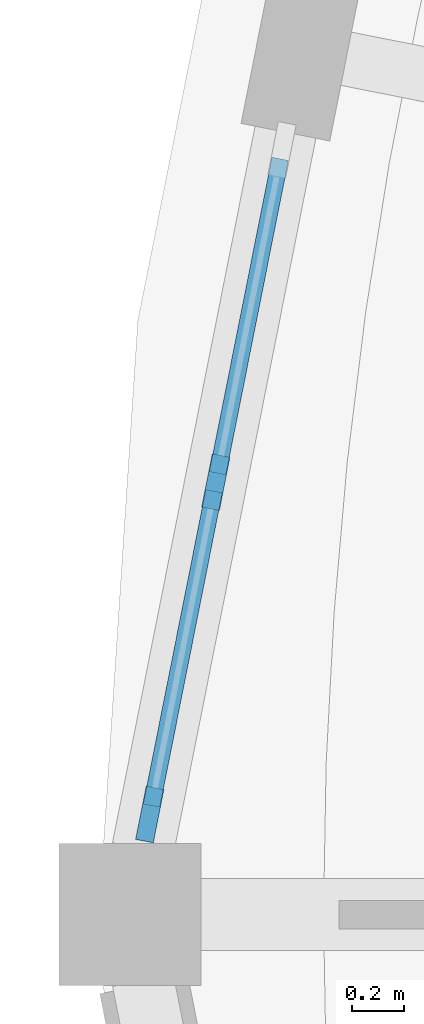
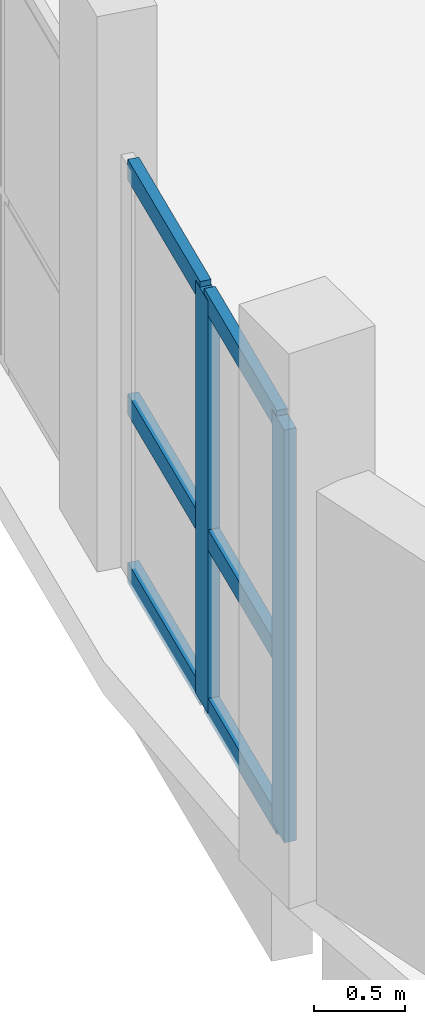
# One storey, part 37 of 77: 8 members, 1 element without a shape of its own.
"""IFC4 building model written with IfcOpenShell, lengths in metres."""

from ifc_helpers import new_model, si_unit, direction, frame, origin, origin_2d, place, context, subcontext, project, spatial, rectangle, extrude, material, layer, layer_set, material_profile, profile_set, type_object, element, aggregate, save


model = new_model("IFC4")

# Units and contexts
model_context = context("Model", 3, precision=1e-05, world=origin(), true_north=direction((0.0, 1.0)))
body_context = subcontext(model_context, "Body", "Model", "MODEL_VIEW")
ifc_project = project(units=[si_unit("LENGTHUNIT", "METRE"), si_unit("AREAUNIT", "SQUARE_METRE"), si_unit("VOLUMEUNIT", "CUBIC_METRE"), si_unit("PLANEANGLEUNIT", "RADIAN"), si_unit("MASSUNIT", "GRAM", prefix="KILO")], contexts=[model_context])

# Site, building, storey
site_placement = place(None, origin())
site = spatial("IfcSite", under=ifc_project, at=site_placement, CompositionType="ELEMENT")
building_placement = place(site_placement, origin())
building = spatial("IfcBuilding", under=site, at=building_placement, Name="Caldaven Crescent School", CompositionType="ELEMENT")
storey_placement = place(building_placement, frame((0.0, 0.0, 4.419921875)))
storey = spatial("IfcBuildingStorey", under=building, at=storey_placement, Name="L01", CompositionType="ELEMENT", Elevation=4.419921875)

# Curtain wall, members
ifc_material_1 = material(Name="Anodised aluminium AA 6063-T6 and low-E double glazing", Category="aluminium")
ifc_layer = layer(ifc_material_1, 0.169921875)
ifc_layer_set = layer_set([ifc_layer], Name="Anodised aluminium AA 6063-T6 and low-E double glazing")
curtain_wall_type = type_object("IfcCurtainWallType", Name="CW-SYS1", PredefinedType="NOTDEFINED", material=ifc_layer_set)
curtain_wall_placement = place(storey_placement, origin())
curtain_wall = element("IfcCurtainWall", 1, at=curtain_wall_placement, inside=storey, type_object=curtain_wall_type, Name="CW-L01-024", PredefinedType="NOTDEFINED")
ifc_material_2 = material(Name="Anodised aluminium AA 6063-T6", Category="aluminium")
ifc_material_profile_1 = material_profile(ifc_material_2, rectangle(XDim=0.070068359375, YDim=0.2099609375, at=origin_2d()), Name="CWM 70x210")
ifc_profile_set_1 = profile_set([ifc_material_profile_1], Name="Anodised aluminium AA 6063-T6")
member_type_1 = type_object("IfcMemberType", Name="CWM-T3", PredefinedType="MULLION", material=ifc_profile_set_1)
member_1_placement = place(storey_placement, frame((135.3330078125, 100.17431640625, 0.0), z_axis=(0.0, 0.0, 1.0), x_axis=(0.980785289392, -0.195090276825, 0.0)))
member_1 = element("IfcMember", 2, at=member_1_placement, type_object=member_type_1, Name="CW1 mullion 2", PredefinedType="MULLION", context=body_context, shape_type="SweptSolid", body=[
    extrude(rectangle(XDim=0.070068359375, YDim=0.2099609375, at=origin_2d()), origin(), (0.0, 0.0, 1.0), 2.780029296875),
])
member_2_placement = place(storey_placement, frame((135.0771484375, 98.887451171875, 0.0), z_axis=(0.0, 0.0, 1.0), x_axis=(0.980785289392, -0.195090276825, 0.0)))
member_2 = element("IfcMember", 3, at=member_2_placement, type_object=member_type_1, Name="CW1 mullion 3", PredefinedType="MULLION", context=body_context, shape_type="SweptSolid", body=[
    extrude(rectangle(XDim=0.070068359375, YDim=0.2099609375, at=origin_2d()), origin(), (0.0, 0.0, 1.0), 2.780029296875),
])
ifc_material_profile_2 = material_profile(ifc_material_2, rectangle(XDim=0.06494140625, YDim=0.139892578125, at=origin_2d()), Name="CWT 65x140")
ifc_profile_set_2 = profile_set([ifc_material_profile_2], Name="Anodised aluminium AA 6063-T6")
member_type_2 = type_object("IfcMemberType", Name="CWT-T2", PredefinedType="USERDEFINED", material=ifc_profile_set_2)
member_3_placement = place(storey_placement, frame((135.582275390625, 101.4267578125, 0.032470703125), z_axis=(-0.19517110689, -0.980769207834, 0.0), x_axis=(0.980769207834, -0.19517110689, 0.0)))
member_3 = element("IfcMember", 4, at=member_3_placement, type_object=member_type_2, Name="CW1 transom 1.1", ObjectType="TRANSOM", PredefinedType="USERDEFINED", context=body_context, shape_type="SweptSolid", body=[
    extrude(rectangle(XDim=0.06494140625, YDim=0.139892578125, at=origin_2d()), origin(), (0.0, 0.0, 1.0), 1.2421875),
])
member_4_placement = place(storey_placement, frame((135.582275390625, 101.4267578125, 1.16796875), z_axis=(-0.19517110689, -0.980769207834, 0.0), x_axis=(0.980769207834, -0.19517110689, 0.0)))
member_4 = element("IfcMember", 5, at=member_4_placement, type_object=member_type_2, Name="CW1 transom 1.2", ObjectType="TRANSOM", PredefinedType="USERDEFINED", context=body_context, shape_type="SweptSolid", body=[
    extrude(rectangle(XDim=0.06494140625, YDim=0.139892578125, at=origin_2d()), origin(), (0.0, 0.0, 1.0), 1.2421875),
])
member_5_placement = place(storey_placement, frame((135.582275390625, 101.4267578125, 2.74755859375), z_axis=(-0.19517110689, -0.980769207834, 0.0), x_axis=(0.980769207834, -0.19517110689, 0.0)))
member_5 = element("IfcMember", 6, at=member_5_placement, type_object=member_type_2, Name="CW1 transom 1.3", ObjectType="TRANSOM", PredefinedType="USERDEFINED", context=body_context, shape_type="SweptSolid", body=[
    extrude(rectangle(XDim=0.06494140625, YDim=0.139892578125, at=origin_2d()), origin(), (0.0, 0.0, 1.0), 1.2421875),
])
member_6_placement = place(storey_placement, frame((135.326171875, 100.139892578125, 0.032470703125), z_axis=(-0.194982035897, -0.980806813637, 0.0), x_axis=(0.980806813637, -0.194982035897, 0.0)))
member_6 = element("IfcMember", 7, at=member_6_placement, type_object=member_type_2, Name="CW1 transom 2.1", ObjectType="TRANSOM", PredefinedType="USERDEFINED", context=body_context, shape_type="SweptSolid", body=[
    extrude(rectangle(XDim=0.06494140625, YDim=0.139892578125, at=origin_2d()), origin(), (0.0, 0.0, 1.0), 1.2421875),
])
member_7_placement = place(storey_placement, frame((135.326171875, 100.139892578125, 1.16796875), z_axis=(-0.194982035897, -0.980806813637, 0.0), x_axis=(0.980806813637, -0.194982035897, 0.0)))
member_7 = element("IfcMember", 8, at=member_7_placement, type_object=member_type_2, Name="CW1 transom 2.2", ObjectType="TRANSOM", PredefinedType="USERDEFINED", context=body_context, shape_type="SweptSolid", body=[
    extrude(rectangle(XDim=0.06494140625, YDim=0.139892578125, at=origin_2d()), origin(), (0.0, 0.0, 1.0), 1.2421875),
])
member_8_placement = place(storey_placement, frame((135.326171875, 100.139892578125, 2.74755859375), z_axis=(-0.194982035897, -0.980806813637, 0.0), x_axis=(0.980806813637, -0.194982035897, 0.0)))
member_8 = element("IfcMember", 9, at=member_8_placement, type_object=member_type_2, Name="CW1 transom 2.3", ObjectType="TRANSOM", PredefinedType="USERDEFINED", context=body_context, shape_type="SweptSolid", body=[
    extrude(rectangle(XDim=0.06494140625, YDim=0.139892578125, at=origin_2d()), origin(), (0.0, 0.0, 1.0), 1.2421875),
])
aggregate(curtain_wall, [member_1, member_2, member_3, member_4, member_5, member_6, member_7, member_8])

save(model, "model.ifc")
